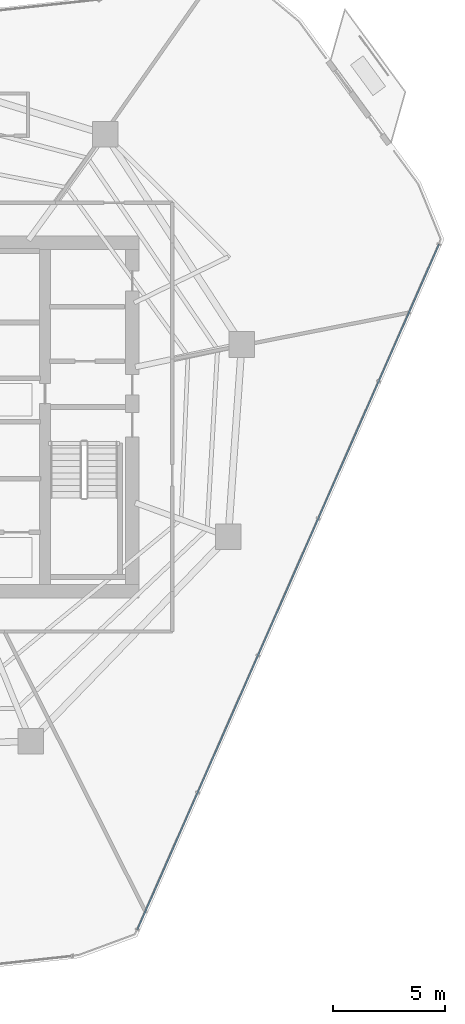
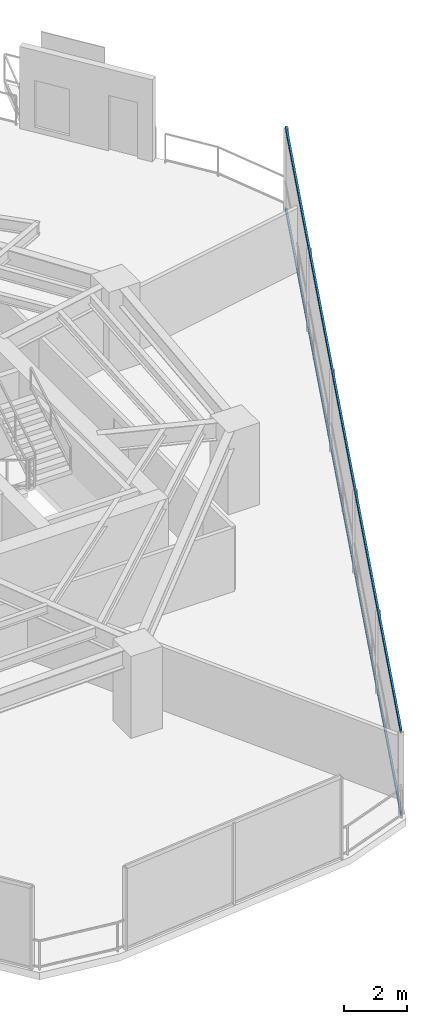
# One storey, part 12 of 30: 2 members, 1 element without a shape of its own.
"""IFC4 building model written with IfcOpenShell, lengths in metres."""

from ifc_helpers import new_model, si_unit, direction, frame, origin, origin_2d, place, context, subcontext, project, spatial, hollow_rectangle, extrude, material, layer, layer_set, material_profile, profile_set, type_object, element, aggregate, save


model = new_model("IFC4")

# Units and contexts
model_context = context("Model", 3, precision=1e-05, world=origin(), true_north=direction((0.0, 1.0)))
body_context = subcontext(model_context, "Body", "Model", "MODEL_VIEW")
ifc_project = project(units=[si_unit("LENGTHUNIT", "METRE"), si_unit("AREAUNIT", "SQUARE_METRE"), si_unit("VOLUMEUNIT", "CUBIC_METRE"), si_unit("PLANEANGLEUNIT", "RADIAN"), si_unit("MASSUNIT", "GRAM", prefix="KILO")], contexts=[model_context])

# Site, building, storey
site_placement = place(None, origin())
site = spatial("IfcSite", under=ifc_project, at=site_placement, CompositionType="ELEMENT")
building_placement = place(site_placement, origin())
building = spatial("IfcBuilding", under=site, at=building_placement, Name="Qarnah Convention Tower", CompositionType="ELEMENT")
storey_placement = place(building_placement, frame((0.0, 0.0, 90.14990234375)))
storey = spatial("IfcBuildingStorey", under=building, at=storey_placement, Name="L23", CompositionType="ELEMENT", Elevation=90.14990234375)

# Curtain wall, members
ifc_material_1 = material(Name="Tempered Low-E dark glass", Category="glass")
ifc_layer = layer(ifc_material_1, 0.169921875)
ifc_layer_set = layer_set([ifc_layer], Name="Tempered Low-E dark glass")
curtain_wall_type = type_object("IfcCurtainWallType", Name="CWS-02", PredefinedType="NOTDEFINED", material=ifc_layer_set)
curtain_wall_placement = place(storey_placement, origin())
curtain_wall = element("IfcCurtainWall", 1, at=curtain_wall_placement, inside=storey, type_object=curtain_wall_type, Name="L23 unitised curtain wall CW-L23-F2", PredefinedType="NOTDEFINED")
ifc_material_2 = material(Name="Black anodised aluminium", Category="aluminium")
ifc_material_profile = material_profile(ifc_material_2, hollow_rectangle(XDim=0.06494140625, YDim=0.14990234375, WallThickness=0.00390625, at=origin_2d()), Name="TRN-65X150")
ifc_profile_set = profile_set([ifc_material_profile], Name="Black anodised aluminium")
member_type = type_object("IfcMemberType", Name="TRN-T2", PredefinedType="USERDEFINED", material=ifc_profile_set)
member_1_placement = place(storey_placement, frame((61.340087890625, 34.132080078125, 0.0), z_axis=(-0.402916808485, -0.915236606261, 0.0), x_axis=(0.915236606261, -0.402916808485, 0.0)))
member_1 = element("IfcMember", 2, at=member_1_placement, type_object=member_type, Name="CW-L23-F2 transom 1", ObjectType="TRANSOM", PredefinedType="USERDEFINED", context=body_context, shape_type="SweptSolid", body=[
    extrude(hollow_rectangle(XDim=0.06494140625, YDim=0.14990234375, WallThickness=0.00390625, at=origin_2d()), origin(), (0.0, 0.0, 1.0), 33.515869140625),
])
member_2_placement = place(storey_placement, frame((61.340087890625, 34.132080078125, 3.170166015625), z_axis=(-0.402916808485, -0.915236606261, 0.0), x_axis=(0.915236606261, -0.402916808485, 0.0)))
member_2 = element("IfcMember", 3, at=member_2_placement, type_object=member_type, Name="CW-L23-F2 transom 2", ObjectType="TRANSOM", PredefinedType="USERDEFINED", context=body_context, shape_type="SweptSolid", body=[
    extrude(hollow_rectangle(XDim=0.06494140625, YDim=0.14990234375, WallThickness=0.00390625, at=origin_2d()), origin(), (0.0, 0.0, 1.0), 33.515869140625),
])
aggregate(curtain_wall, [member_1, member_2])

save(model, "model.ifc")
